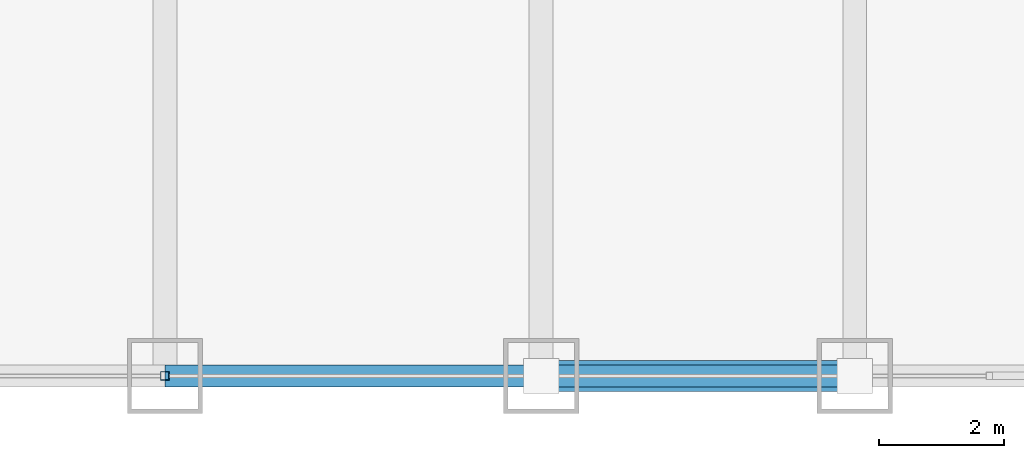
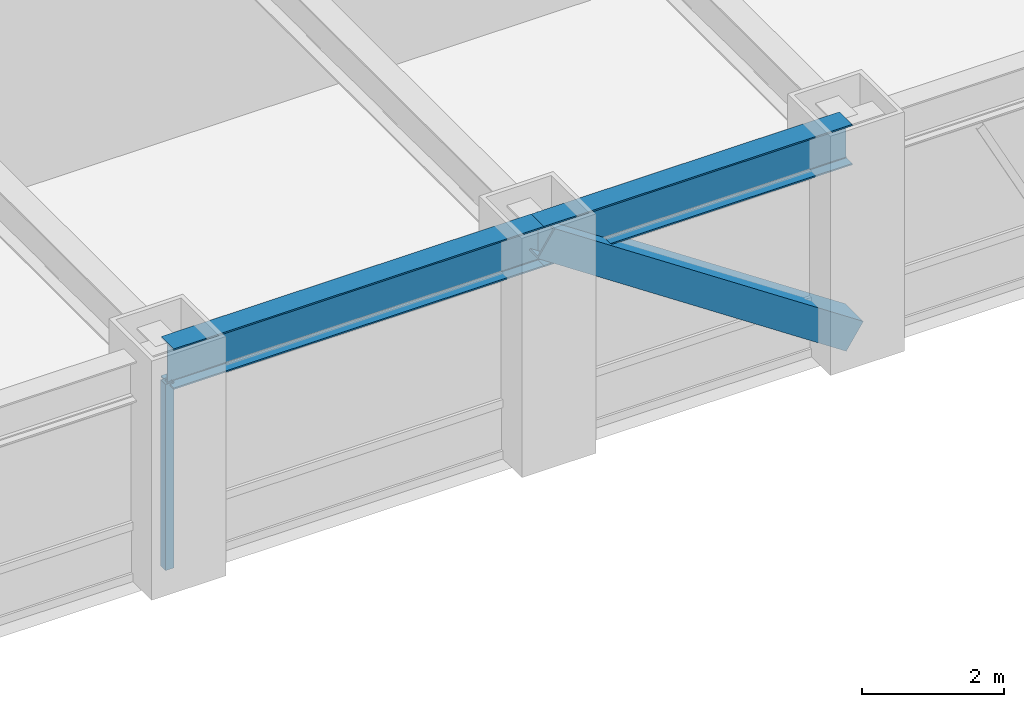
# One storey, part 4 of 28: 2 beams, 2 members, 1 element without a shape of its own.
"""IFC4 building model written with IfcOpenShell, lengths in metres."""

from ifc_helpers import new_model, si_unit, direction, frame, origin, origin_2d, place, context, subcontext, project, spatial, hollow_rectangle, i_section, extrude, source, transform, mapped, material, material_profile, profile_set, type_object, element, aggregate, save


model = new_model("IFC4")

# Units and contexts
model_context = context("Model", 3, precision=1e-05, world=origin(), true_north=direction((0.0, 1.0)))
body_context = subcontext(model_context, "Body", "Model", "MODEL_VIEW")
ifc_project = project(units=[si_unit("LENGTHUNIT", "METRE"), si_unit("AREAUNIT", "SQUARE_METRE"), si_unit("VOLUMEUNIT", "CUBIC_METRE"), si_unit("PLANEANGLEUNIT", "RADIAN"), si_unit("MASSUNIT", "GRAM", prefix="KILO")], contexts=[model_context])

# Site, building, storey
site_placement = place(None, origin())
site = spatial("IfcSite", under=ifc_project, at=site_placement, CompositionType="ELEMENT")
building_placement = place(site_placement, origin())
building = spatial("IfcBuilding", under=site, at=building_placement, Name="Khorayat Bourse Tower", CompositionType="ELEMENT")
storey_placement = place(building_placement, frame((0.0, 0.0, 124.199951171875)))
storey = spatial("IfcBuildingStorey", under=building, at=storey_placement, Name="L28", CompositionType="ELEMENT", Elevation=124.199951171875)

# Beams
ifc_material_1 = material(Name="Steel ASTM A992 Grade 50", Category="steel")
ifc_material_profile_1 = material_profile(ifc_material_1, i_section(OverallWidth=0.35498046875, OverallDepth=0.695068359375, WebThickness=0.015380859375, FlangeThickness=0.02490234375, FilletRadius=0.01806640625, at=origin_2d()), Name="W690X217")
ifc_profile_set_1 = profile_set([ifc_material_profile_1], Name="Steel ASTM A992 Grade 50")
beam_type = type_object("IfcBeamType", Name="BM-SPAN-690", PredefinedType="SPANDREL", material=ifc_profile_set_1)
shared_shape_1 = source(origin(), body_context, "Body", "SweptSolid", [
    extrude(i_section(OverallWidth=0.35498046875, OverallDepth=0.695068359375, WebThickness=0.015380859375, FlangeThickness=0.02490234375, FilletRadius=0.01806640625, at=origin_2d()), origin(), (0.0, 0.0, 1.0), 5.0),
])
beam_1_placement = place(storey_placement, frame((6.0, -32.0, 3.492431640625), z_axis=(1.0, 0.0, 0.0), x_axis=(0.0, 1.0, 0.0)))
element("IfcBeam", 1, at=beam_1_placement, inside=storey, type_object=beam_type, Name="L28 BM-SPAN-690 BM-L28-SPN-029", PredefinedType="SPANDREL", context=body_context, shape_type="MappedRepresentation", body=[
    mapped(shared_shape_1, transform((0.0, 0.0, 0.0), scale=1.0)),
])
shared_shape_2 = source(origin(), body_context, "Body", "SweptSolid", [
    extrude(i_section(OverallWidth=0.35498046875, OverallDepth=0.695068359375, WebThickness=0.015380859375, FlangeThickness=0.02490234375, FilletRadius=0.01806640625, at=origin_2d()), origin(), (0.0, 0.0, 1.0), 6.0),
])
beam_2_placement = place(storey_placement, frame((0.0, -32.0, 3.492431640625), z_axis=(1.0, 0.0, 0.0), x_axis=(0.0, 1.0, 0.0)))
element("IfcBeam", 2, at=beam_2_placement, inside=storey, type_object=beam_type, Name="L28 BM-SPAN-690 BM-L28-SPN-028", PredefinedType="SPANDREL", context=body_context, shape_type="MappedRepresentation", body=[
    mapped(shared_shape_2, transform((0.0, 0.0, 0.0), scale=1.0)),
])

# Member
ifc_material_2 = material(Name="Steel EN 10025-4 S460M", Category="steel")
ifc_material_profile_2 = material_profile(ifc_material_2, hollow_rectangle(XDim=0.5, YDim=0.5, WallThickness=0.028076171875, at=origin_2d()), Name="HSS 500x500x28")
ifc_profile_set_2 = profile_set([ifc_material_profile_2], Name="Steel EN 10025-4 S460M")
member_type_1 = type_object("IfcMemberType", Name="MBR-TUBE-500", PredefinedType="BRACE", material=ifc_profile_set_2)
shared_shape_3 = source(origin(), body_context, "Body", "SweptSolid", [
    extrude(hollow_rectangle(XDim=0.5, YDim=0.5, WallThickness=0.028076171875, at=origin_2d()), origin(), (0.0, 0.0, 1.0), 6.012939453125),
])
member_1_placement = place(storey_placement, frame((6.0, -32.0, 3.590087890625), z_axis=(0.831531473026, 0.0, -0.555477640745), x_axis=(0.0, 1.0, 0.0)))
element("IfcMember", 3, at=member_1_placement, inside=storey, type_object=member_type_1, Name="L28 Perimeter Tube Brace 02", PredefinedType="BRACE", context=body_context, shape_type="MappedRepresentation", body=[
    mapped(shared_shape_3, transform((0.0, 0.0, 0.0), scale=1.0)),
])

# Curtain wall, member
ifc_material_3 = material(Name="Aluminium EN AW-6063 T6", Category="aluminium")
curtain_wall_type = type_object("IfcCurtainWallType", Name="CW-SYS-02", PredefinedType="NOTDEFINED", material=ifc_material_3)
curtain_wall_placement = place(storey_placement, origin())
curtain_wall = element("IfcCurtainWall", 4, at=curtain_wall_placement, inside=storey, type_object=curtain_wall_type, Name="L28 Curtain Wall CW-L28-S1", PredefinedType="NOTDEFINED")
ifc_material_profile_3 = material_profile(ifc_material_3, hollow_rectangle(XDim=0.139892578125, YDim=0.139892578125, WallThickness=0.006103515625, at=origin_2d()), Name="ALU 140x140x6")
ifc_profile_set_3 = profile_set([ifc_material_profile_3], Name="Aluminium EN AW-6063 T6")
member_type_2 = type_object("IfcMemberType", Name="CWM-VERT-140", PredefinedType="MULLION", material=ifc_profile_set_3)
shared_shape_4 = source(origin(), body_context, "Body", "SweptSolid", [
    extrude(hollow_rectangle(XDim=0.139892578125, YDim=0.139892578125, WallThickness=0.006103515625, at=origin_2d()), origin(), (0.0, 0.0, 1.0), 3.18994140625),
])
member_2_placement = place(storey_placement, frame((0.0, -32.0, 0.0), z_axis=(0.0, 0.0, 1.0), x_axis=(0.0, 1.0, 0.0)))
member_2 = element("IfcMember", 5, at=member_2_placement, type_object=member_type_2, Name="CW-L28-S1 Vertical Mullion 2", PredefinedType="MULLION", context=body_context, shape_type="MappedRepresentation", body=[
    mapped(shared_shape_4, transform((0.0, 0.0, 0.0), scale=1.0)),
])
aggregate(curtain_wall, [member_2])

save(model, "model.ifc")
